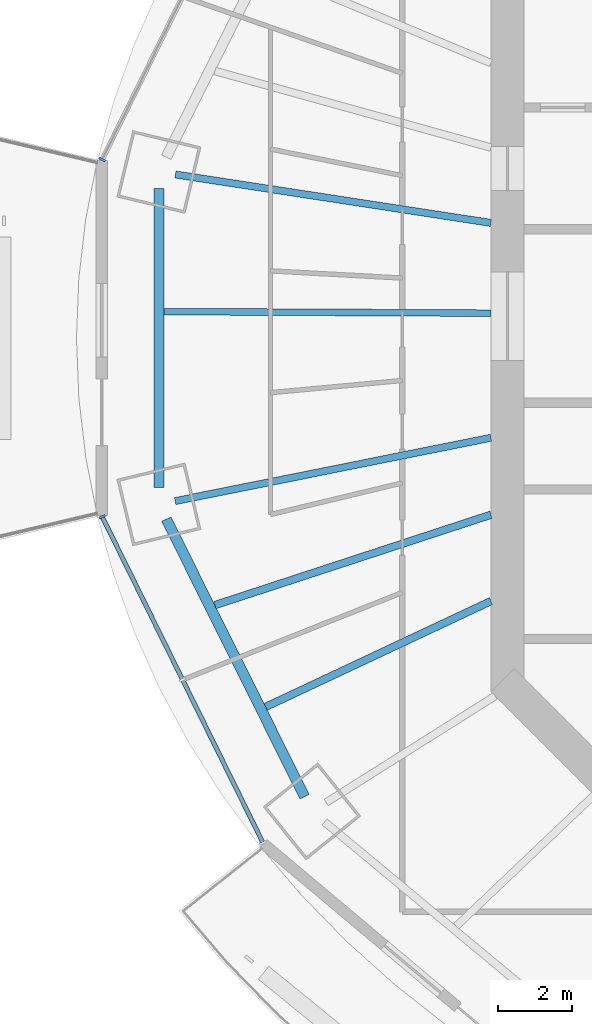
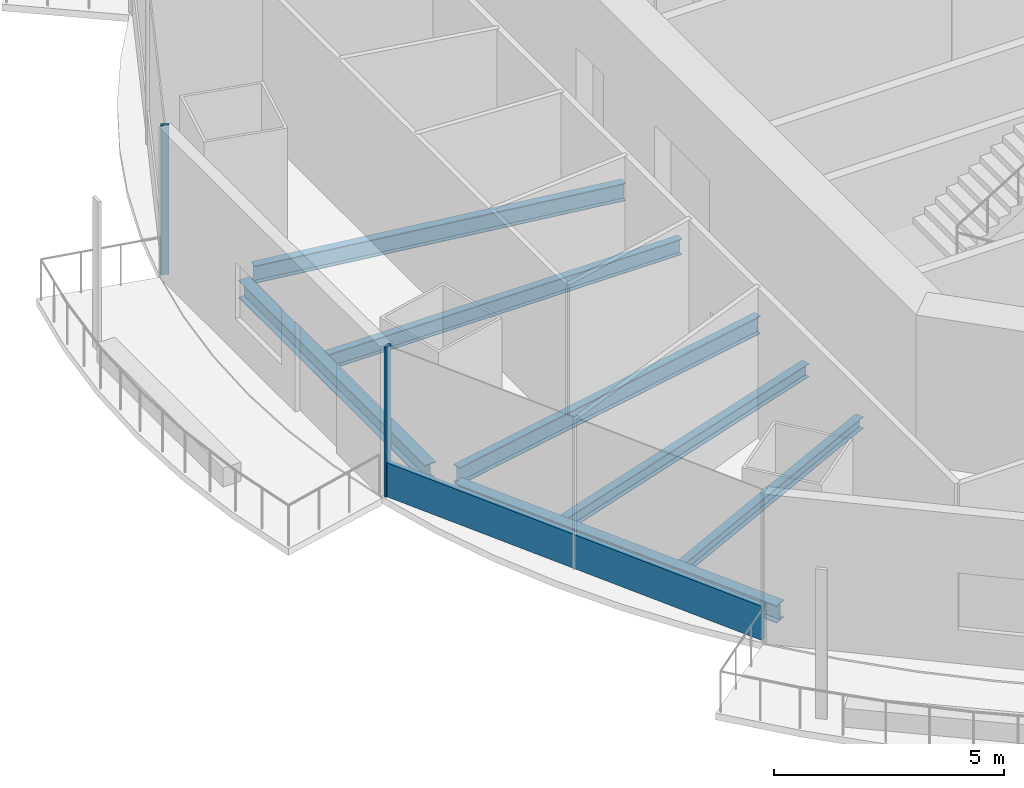
# One storey, part 3 of 18: 7 beams, 3 members, 2 elements without a shape of their own.
"""IFC4 building model written with IfcOpenShell, lengths in metres."""

from ifc_helpers import new_model, si_unit, direction, frame, origin, origin_2d, place, context, subcontext, project, spatial, rectangle, i_section, extrude, material, material_profile, profile_set, type_object, element, aggregate, save


model = new_model("IFC4")

# Units and contexts
model_context = context("Model", 3, precision=1e-05, world=origin(), true_north=direction((0.0, 1.0)))
body_context = subcontext(model_context, "Body", "Model", "MODEL_VIEW")
ifc_project = project(units=[si_unit("LENGTHUNIT", "METRE"), si_unit("AREAUNIT", "SQUARE_METRE"), si_unit("VOLUMEUNIT", "CUBIC_METRE"), si_unit("PLANEANGLEUNIT", "RADIAN"), si_unit("MASSUNIT", "GRAM", prefix="KILO")], contexts=[model_context])

# Site, building, storey
site_placement = place(None, origin())
site = spatial("IfcSite", under=ifc_project, at=site_placement, CompositionType="ELEMENT")
building_placement = place(site_placement, origin())
building = spatial("IfcBuilding", under=site, at=building_placement, Name="Marenthal Gate Tower", CompositionType="ELEMENT")
storey_placement = place(building_placement, frame((0.0, 0.0, 260.64990234375)))
storey = spatial("IfcBuildingStorey", under=building, at=storey_placement, Name="L58", CompositionType="ELEMENT", Elevation=260.64990234375)

# Curtain wall, member
ifc_material_1 = material(Name="Aluminium and glass", Category="aluminium")
curtain_wall_type = type_object("IfcCurtainWallType", Name="Curtain wall typical mid", PredefinedType="NOTDEFINED", material=ifc_material_1)
curtain_wall_1_placement = place(storey_placement, origin())
curtain_wall_1 = element("IfcCurtainWall", 1, at=curtain_wall_1_placement, inside=storey, type_object=curtain_wall_type, Name="Curtain wall L58 bay 7", PredefinedType="NOTDEFINED")
ifc_material_2 = material(Name="Aluminium", Category="aluminium")
ifc_material_profile_1 = material_profile(ifc_material_2, rectangle(XDim=0.179931640625, YDim=0.06005859375, at=origin_2d()), Name="60x180 aluminium mullion")
ifc_profile_set_1 = profile_set([ifc_material_profile_1], Name="Aluminium")
member_type_1 = type_object("IfcMemberType", Name="Mullion 60x180 typical mid", PredefinedType="MULLION", material=ifc_profile_set_1)
member_1_placement = place(storey_placement, frame((-26.983642578125, 4.2392578125, 0.0), z_axis=(0.0, 0.0, 1.0), x_axis=(0.896920632002, -0.442191564697, 0.0)))
member_1 = element("IfcMember", 2, at=member_1_placement, type_object=member_type_1, Name="Mullion L58 bay 7.3", PredefinedType="MULLION", context=body_context, shape_type="SweptSolid", body=[
    extrude(rectangle(XDim=0.179931640625, YDim=0.06005859375, at=origin_2d()), origin(), (0.0, 0.0, 1.0), 3.97021484375),
])
aggregate(curtain_wall_1, [member_1])

# Curtain wall, members
curtain_wall_2_placement = place(storey_placement, origin())
curtain_wall_2 = element("IfcCurtainWall", 3, at=curtain_wall_2_placement, inside=storey, type_object=curtain_wall_type, Name="Curtain wall L58 bay 9", PredefinedType="NOTDEFINED")
member_2_placement = place(storey_placement, frame((-26.983642578125, -5.439453125, 0.0), z_axis=(0.0, 0.0, 1.0), x_axis=(0.896920632002, 0.442191564697, 0.0)))
member_2 = element("IfcMember", 4, at=member_2_placement, type_object=member_type_1, Name="Mullion L58 bay 9.1", PredefinedType="MULLION", context=body_context, shape_type="SweptSolid", body=[
    extrude(rectangle(XDim=0.179931640625, YDim=0.06005859375, at=origin_2d()), origin(), (0.0, 0.0, 1.0), 3.97021484375),
])
ifc_material_3 = material(Name="Aluminium", Category="aluminium")
ifc_material_profile_2 = material_profile(ifc_material_3, rectangle(XDim=0.1201171875, YDim=0.89990234375, at=origin_2d()), Name="120x900 aluminium transom")
ifc_profile_set_2 = profile_set([ifc_material_profile_2], Name="Aluminium")
member_type_2 = type_object("IfcMemberType", Name="Transom 120x900 typical mid", PredefinedType="USERDEFINED", material=ifc_profile_set_2)
member_3_placement = place(storey_placement, frame((-26.97021484375, -5.46630859375, 0.4501953125), z_axis=(0.442181240155, -0.896925722039, 0.0), x_axis=(0.896925722039, 0.442181240155, 0.0)))
member_3 = element("IfcMember", 5, at=member_3_placement, type_object=member_type_2, Name="Transom L58 bay 9", ObjectType="TRANSOM", PredefinedType="USERDEFINED", context=body_context, shape_type="SweptSolid", body=[
    extrude(rectangle(XDim=0.1201171875, YDim=0.89990234375, at=origin_2d()), origin(), (0.0, 0.0, 1.0), 9.794189453125),
])
aggregate(curtain_wall_2, [member_2, member_3])

# Beams
ifc_material_4 = material(Name="Steel S355", Category="steel")
ifc_material_profile_3 = material_profile(ifc_material_4, i_section(OverallWidth=0.205078125, OverallDepth=0.31005859375, WebThickness=0.009521484375, FlangeThickness=0.016357421875, FilletRadius=0.0126953125, at=origin_2d()), Name="W310X74")
ifc_profile_set_3 = profile_set([ifc_material_profile_3], Name="Steel S355")
beam_type_1 = type_object("IfcBeamType", Name="W310X74 beam", PredefinedType="BEAM", material=ifc_profile_set_3)
beam_1_placement = place(storey_placement, frame((-22.555419921875, -10.593505859375, -0.3349609375), z_axis=(0.905131794083, 0.425131080186, 0.0), x_axis=(-0.425131080186, 0.905131794083, 0.0)))
element("IfcBeam", 6, at=beam_1_placement, inside=storey, type_object=beam_type_1, Name="BM-L58-30", PredefinedType="BEAM", context=body_context, shape_type="SweptSolid", body=[
    extrude(i_section(OverallWidth=0.205078125, OverallDepth=0.31005859375, WebThickness=0.009521484375, FlangeThickness=0.016357421875, FilletRadius=0.0126953125, at=origin_2d()), origin(), (0.0, 0.0, 1.0), 6.745361328125),
])
ifc_material_5 = material(Name="Steel S355", Category="steel")
ifc_material_profile_4 = material_profile(ifc_material_5, i_section(OverallWidth=0.205078125, OverallDepth=0.35302734375, WebThickness=0.009521484375, FlangeThickness=0.016845703125, FilletRadius=0.014892578125, at=origin_2d()), Name="W360X79")
ifc_profile_set_4 = profile_set([ifc_material_profile_4], Name="Steel S355")
beam_type_2 = type_object("IfcBeamType", Name="W360X79 beam", PredefinedType="BEAM", material=ifc_profile_set_4)
beam_2_placement = place(storey_placement, frame((-23.930419921875, -7.834716796875, -0.3564453125), z_axis=(0.950357111355, 0.311161310089, 0.0), x_axis=(-0.311161310089, 0.950357111355, 0.0)))
element("IfcBeam", 7, at=beam_2_placement, inside=storey, type_object=beam_type_2, Name="BM-L58-29", PredefinedType="BEAM", context=body_context, shape_type="SweptSolid", body=[
    extrude(i_section(OverallWidth=0.205078125, OverallDepth=0.35302734375, WebThickness=0.009521484375, FlangeThickness=0.016845703125, FilletRadius=0.014892578125, at=origin_2d()), origin(), (0.0, 0.0, 1.0), 7.871337890625),
])
ifc_material_6 = material(Name="Steel S355", Category="steel")
ifc_material_profile_5 = material_profile(ifc_material_6, i_section(OverallWidth=0.180908203125, OverallDepth=0.4169921875, WebThickness=0.010986328125, FlangeThickness=0.018310546875, FilletRadius=0.01025390625, at=origin_2d()), Name="W410X85")
ifc_profile_set_5 = profile_set([ifc_material_profile_5], Name="Steel S355")
beam_type_3 = type_object("IfcBeamType", Name="W410X85 beam", PredefinedType="BEAM", material=ifc_profile_set_5)
beam_3_placement = place(storey_placement, frame((-25.3076171875, 0.1201171875, -0.388427734375), z_axis=(0.99998863168, -0.004768281836, 0.0), x_axis=(0.004768281836, 0.99998863168, 0.0)))
element("IfcBeam", 8, at=beam_3_placement, inside=storey, type_object=beam_type_3, Name="BM-L58-28", PredefinedType="BEAM", context=body_context, shape_type="SweptSolid", body=[
    extrude(i_section(OverallWidth=0.180908203125, OverallDepth=0.4169921875, WebThickness=0.010986328125, FlangeThickness=0.018310546875, FilletRadius=0.01025390625, at=origin_2d()), origin(), (0.0, 0.0, 1.0), 8.857666015625),
])
ifc_material_7 = material(Name="Steel S355", Category="steel")
ifc_material_profile_6 = material_profile(ifc_material_7, i_section(OverallWidth=0.279052734375, OverallDepth=0.4619140625, WebThickness=0.0107421875, FlangeThickness=0.017333984375, FilletRadius=0.010009765625, at=origin_2d()), Name="W460X113")
ifc_profile_set_6 = profile_set([ifc_material_profile_6], Name="Steel S355")
beam_type_4 = type_object("IfcBeamType", Name="W460X113 beam", PredefinedType="BEAM", material=ifc_profile_set_6)
beam_4_placement = place(storey_placement, frame((-25.447265625, 3.453125, -0.410888671875), z_axis=(0.0, -1.0, 0.0), x_axis=(1.0, 0.0, 0.0)))
element("IfcBeam", 9, at=beam_4_placement, inside=storey, type_object=beam_type_4, Name="BM-L58-48", PredefinedType="BEAM", context=body_context, shape_type="SweptSolid", body=[
    extrude(i_section(OverallWidth=0.279052734375, OverallDepth=0.4619140625, WebThickness=0.0107421875, FlangeThickness=0.017333984375, FilletRadius=0.010009765625, at=origin_2d()), origin(), (0.0, 0.0, 1.0), 8.106201171875),
])
beam_5_placement = place(storey_placement, frame((-25.24658203125, -5.506591796875, -0.410888671875), z_axis=(0.446074295106, -0.894995934765, 0.0), x_axis=(0.894995934765, 0.446074295106, 0.0)))
element("IfcBeam", 10, at=beam_5_placement, inside=storey, type_object=beam_type_4, Name="BM-L58-49", PredefinedType="BEAM", context=body_context, shape_type="SweptSolid", body=[
    extrude(i_section(OverallWidth=0.279052734375, OverallDepth=0.4619140625, WebThickness=0.0107421875, FlangeThickness=0.017333984375, FilletRadius=0.010009765625, at=origin_2d()), origin(), (0.0, 0.0, 1.0), 8.40283203125),
])
ifc_material_8 = material(Name="Steel S355", Category="steel")
ifc_material_profile_7 = material_profile(ifc_material_8, i_section(OverallWidth=0.193115234375, OverallDepth=0.467041015625, WebThickness=0.011474609375, FlangeThickness=0.01904296875, FilletRadius=0.010009765625, at=origin_2d()), Name="W460X97")
ifc_profile_set_7 = profile_set([ifc_material_profile_7], Name="Steel S355")
beam_type_5 = type_object("IfcBeamType", Name="W460X97 beam", PredefinedType="BEAM", material=ifc_profile_set_7)
beam_6_placement = place(storey_placement, frame((-24.999267578125, 3.83544921875, -0.413330078125), z_axis=(0.988432639334, -0.151660533758, 0.0), x_axis=(0.151660533758, 0.988432639334, 0.0)))
element("IfcBeam", 11, at=beam_6_placement, inside=storey, type_object=beam_type_5, Name="BM-L58-08", PredefinedType="BEAM", context=body_context, shape_type="SweptSolid", body=[
    extrude(i_section(OverallWidth=0.193115234375, OverallDepth=0.467041015625, WebThickness=0.011474609375, FlangeThickness=0.01904296875, FilletRadius=0.010009765625, at=origin_2d()), origin(), (0.0, 0.0, 1.0), 8.6494140625),
])
beam_7_placement = place(storey_placement, frame((-25.00537109375, -5.015625, -0.413330078125), z_axis=(0.980470758039, 0.196664924757, 0.0), x_axis=(-0.196664924757, 0.980470758039, 0.0)))
element("IfcBeam", 12, at=beam_7_placement, inside=storey, type_object=beam_type_5, Name="BM-L58-09", PredefinedType="BEAM", context=body_context, shape_type="SweptSolid", body=[
    extrude(i_section(OverallWidth=0.193115234375, OverallDepth=0.467041015625, WebThickness=0.011474609375, FlangeThickness=0.01904296875, FilletRadius=0.010009765625, at=origin_2d()), origin(), (0.0, 0.0, 1.0), 8.725830078125),
])

save(model, "model.ifc")
